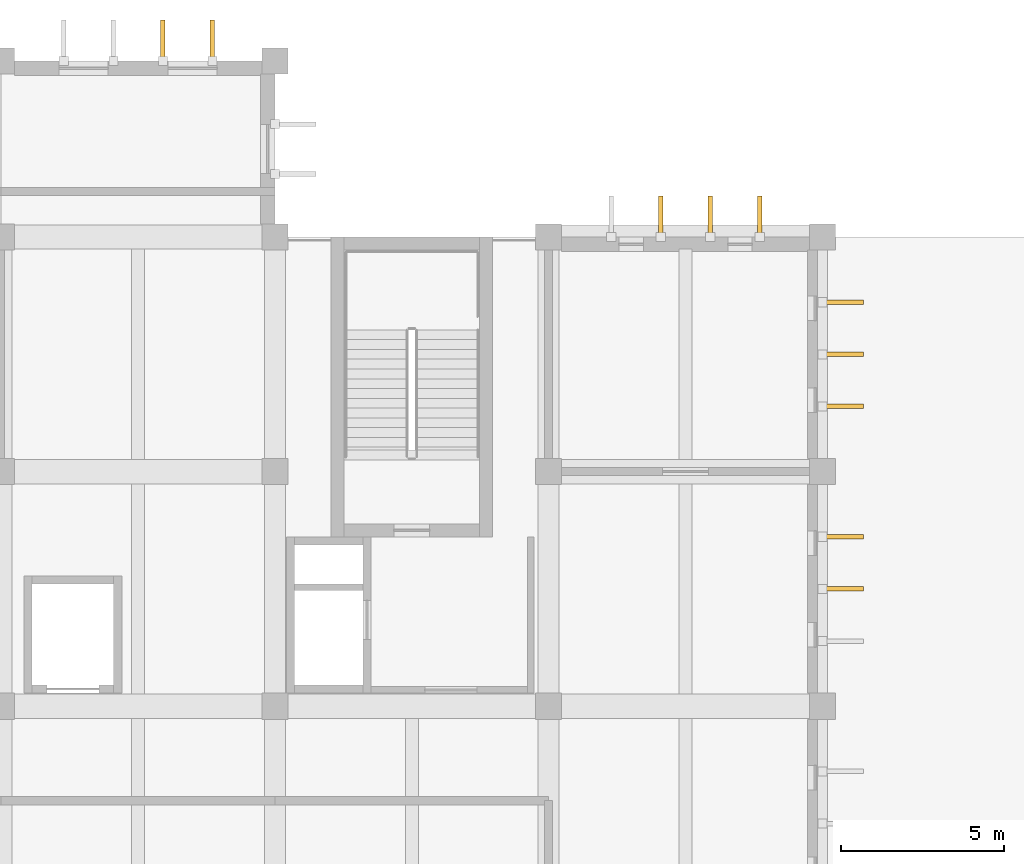
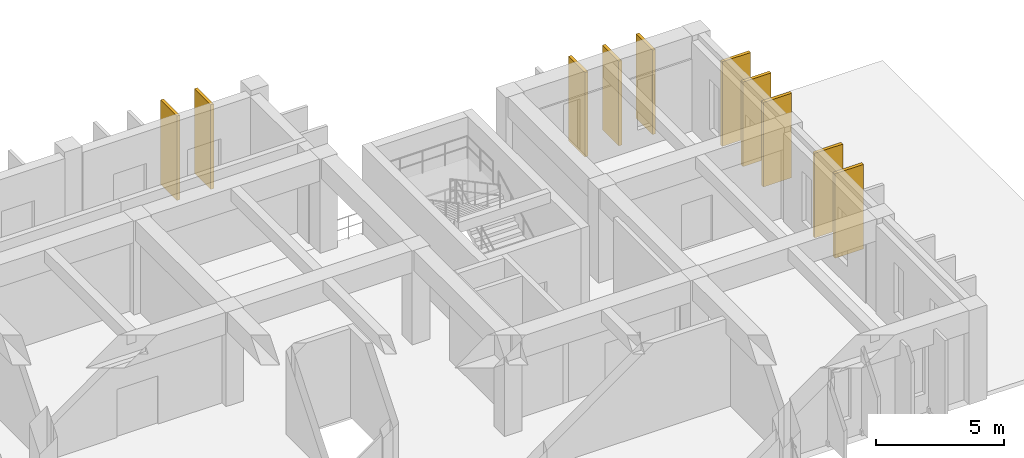
# One storey, part 40 of 40: 10 shading devices.
"""IFC4 building model written with IfcOpenShell, lengths in metres."""

from ifc_helpers import new_model, si_unit, direction, frame, origin, origin_2d, place, context, subcontext, project, spatial, rectangle, extrude, material, type_object, element, save


model = new_model("IFC4")

# Units and contexts
model_context = context("Model", 3, precision=1e-05, world=origin(), true_north=direction((0.0, 1.0)))
body_context = subcontext(model_context, "Body", "Model", "MODEL_VIEW")
ifc_project = project(units=[si_unit("LENGTHUNIT", "METRE"), si_unit("AREAUNIT", "SQUARE_METRE"), si_unit("VOLUMEUNIT", "CUBIC_METRE"), si_unit("PLANEANGLEUNIT", "RADIAN"), si_unit("MASSUNIT", "GRAM", prefix="KILO")], contexts=[model_context])

# Site, building, storey
site_placement = place(None, origin())
site = spatial("IfcSite", under=ifc_project, at=site_placement, CompositionType="ELEMENT")
building_placement = place(site_placement, origin())
building = spatial("IfcBuilding", under=site, at=building_placement, Name="Kenerak Square Central Library", CompositionType="ELEMENT")
storey_placement = place(building_placement, frame((0.0, 0.0, 14.39990234375)))
storey = spatial("IfcBuildingStorey", under=building, at=storey_placement, Name="L03", CompositionType="ELEMENT", Elevation=14.39990234375)

# Shading devices
ifc_material = material(Name="White precast concrete C40/50", Category="concrete")
shading_device_type = type_object("IfcShadingDeviceType", Name="Precast Vertical Solar Fin SF-1280 C40/50", PredefinedType="USERDEFINED", material=ifc_material)
for number, where, z_axis, x_axis, name in (
    (1, (105.360107421875, 116.419921875, 0.10009765625), (0.0, 0.0, 1.0), (1.0, 0.0, 0.0), "Precast Solar Fin FIN-01 L03 0255"),
    (2, (106.8798828125, 116.419921875, 0.10009765625), (0.0, 0.0, 1.0), (1.0, 0.0, 0.0), "Precast Solar Fin FIN-01 L03 0256"),
    (3, (120.639892578125, 111.02001953125, 0.10009765625), (0.0, 0.0, 1.0), (1.0, 0.0, 0.0), "Precast Solar Fin FIN-01 L03 0260"),
    (4, (122.159912109375, 111.02001953125, 0.10009765625), (0.0, 0.0, 1.0), (1.0, 0.0, 0.0), "Precast Solar Fin FIN-01 L03 0261"),
    (5, (123.679931640625, 111.02001953125, 0.10009765625), (0.0, 0.0, 1.0), (1.0, 0.0, 0.0), "Precast Solar Fin FIN-01 L03 0262"),
    (6, (126.219970703125, 108.39990234375, 0.10009765625), (0.0, 0.0, 1.0), (0.0, -1.0, 0.0), "Precast Solar Fin FIN-01 L03 0263"),
    (7, (126.219970703125, 106.800048828125, 0.10009765625), (0.0, 0.0, 1.0), (0.0, -1.0, 0.0), "Precast Solar Fin FIN-01 L03 0264"),
    (8, (126.219970703125, 105.199951171875, 0.10009765625), (0.0, 0.0, 1.0), (0.0, -1.0, 0.0), "Precast Solar Fin FIN-01 L03 0265"),
    (9, (126.219970703125, 101.199951171875, 0.10009765625), (0.0, 0.0, 1.0), (0.0, -1.0, 0.0), "Precast Solar Fin FIN-01 L03 0266"),
    (10, (126.219970703125, 99.60009765625, 0.10009765625), (0.0, 0.0, 1.0), (0.0, -1.0, 0.0), "Precast Solar Fin FIN-01 L03 0267"),
):
    element("IfcShadingDevice", number, at=place(storey_placement, frame(where, z_axis=z_axis, x_axis=x_axis)), inside=storey, type_object=shading_device_type, Name=name, ObjectType="FIN", PredefinedType="USERDEFINED", context=body_context, shape_type="SweptSolid", body=[
        extrude(rectangle(XDim=0.139892578125, YDim=1.280029296875, at=origin_2d()), origin(), (0.0, 0.0, 1.0), 4.030029296875),
    ])

save(model, "model.ifc")
